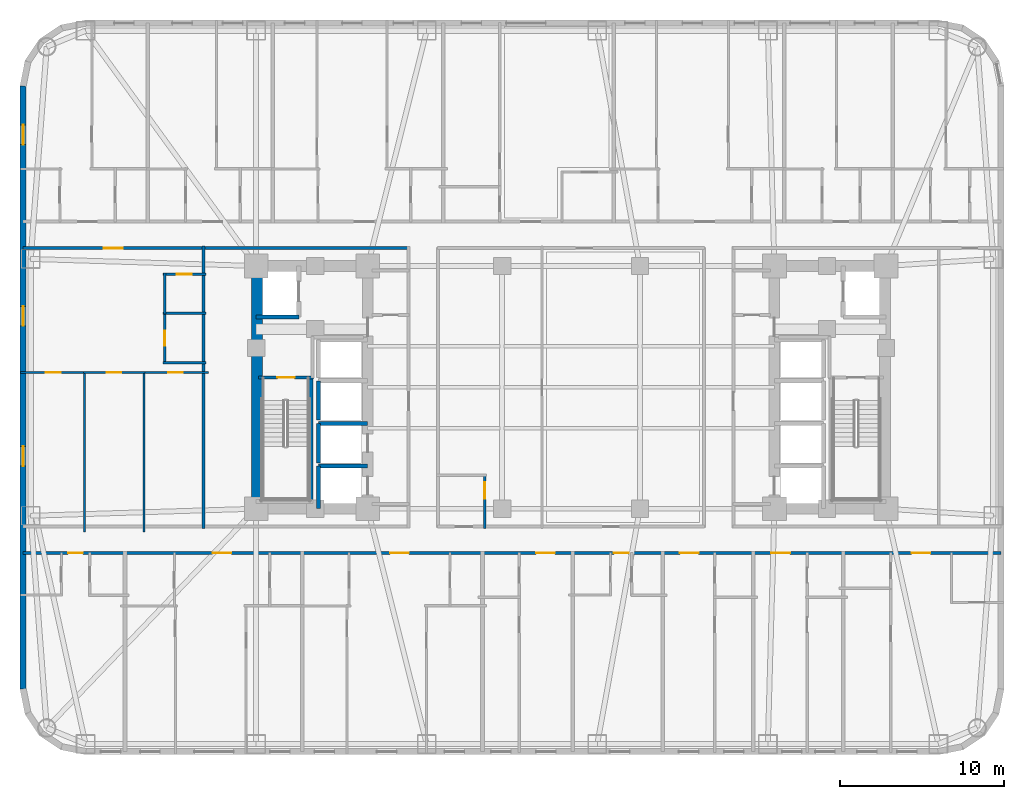
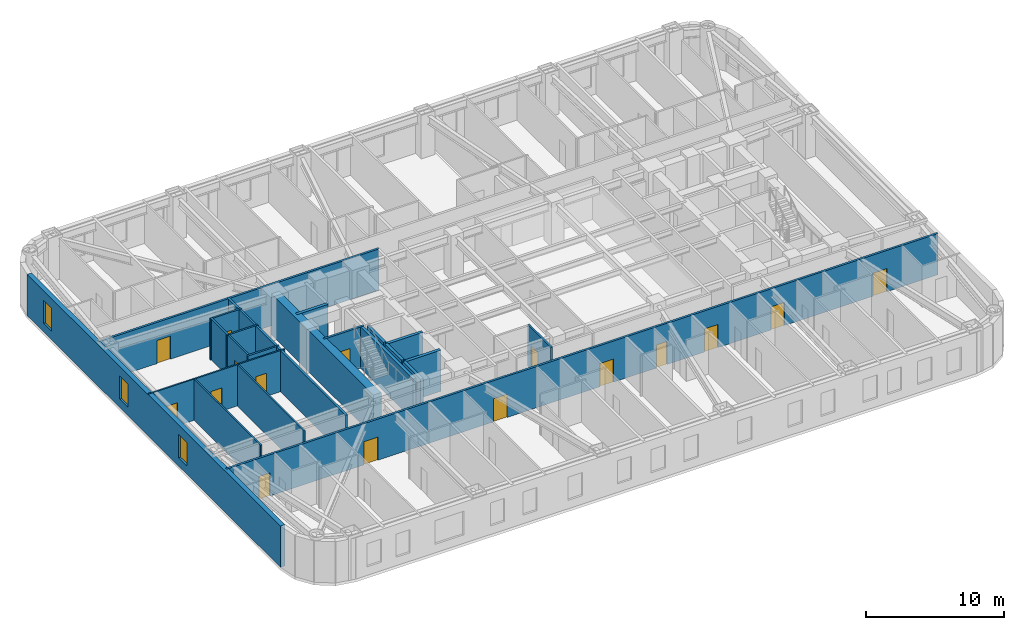
# One storey, part 4 of 12: 24 walls, 16 doors, 3 windows, 19 openings.
"""IFC4 building model written with IfcOpenShell, lengths in metres."""

from ifc_helpers import new_model, si_unit, direction, frame, frame_2d, origin, place, context, subcontext, project, spatial, rectangle, extrude, material, layer, layer_set, type_object, element, fill, save


model = new_model("IFC4")

# Units and contexts
model_context = context("Model", 3, precision=1e-05, world=origin(), true_north=direction((0.0, 1.0)))
body_context = subcontext(model_context, "Body", "Model", "MODEL_VIEW")
ifc_project = project(units=[si_unit("LENGTHUNIT", "METRE"), si_unit("AREAUNIT", "SQUARE_METRE"), si_unit("VOLUMEUNIT", "CUBIC_METRE"), si_unit("PLANEANGLEUNIT", "RADIAN"), si_unit("MASSUNIT", "GRAM", prefix="KILO")], contexts=[model_context])

# Site, building, storey
site_placement = place(None, origin())
site = spatial("IfcSite", under=ifc_project, at=site_placement, CompositionType="ELEMENT")
building_placement = place(site_placement, origin())
building = spatial("IfcBuilding", under=site, at=building_placement, Name="Voryun Gate Residences", CompositionType="ELEMENT")
storey_placement = place(building_placement, frame((0.0, 0.0, 41.60009765625)))
storey = spatial("IfcBuildingStorey", under=building, at=storey_placement, Name="L09", CompositionType="ELEMENT", Elevation=41.60009765625)

# Wall
ifc_material_1 = material(Name="Concrete C60/75", Category="concrete")
ifc_layer_1 = layer(ifc_material_1, 0.64990234375, Name="CW_CORE_650")
ifc_layer_set_1 = layer_set([ifc_layer_1], Name="Concrete C60/75")
wall_type_1 = type_object("IfcWallType", Name="CW_CORE_650", PredefinedType="SHEAR", material=ifc_layer_set_1)
wall_1_placement = place(storey_placement, frame((-19.14501953125, -7.39990234375, 0.0), z_axis=(0.0, 0.0, 1.0), x_axis=(0.0, 1.0, 0.0)))
element("IfcWall", 1, at=wall_1_placement, inside=storey, type_object=wall_type_1, Name="L09 Core shear wall CW-L09-WW", PredefinedType="SHEAR", context=body_context, shape_type="SweptSolid", body=[
    extrude(rectangle(XDim=14.7998046875, YDim=0.64990234375, at=frame_2d((7.39990234375, 0.0))), origin(), (0.0, 0.0, 1.0), 3.64990234375),
])

# Wall, opening, door
ifc_material_2 = material(Name="Gypsum acoustic fireboard")
ifc_layer_2 = layer(ifc_material_2, 0.179931640625, Name="W_CORR_RATED_180")
ifc_layer_set_2 = layer_set([ifc_layer_2], Name="Gypsum acoustic fireboard")
wall_type_2 = type_object("IfcWallType", Name="W_CORR_RATED_180", PredefinedType="PARTITIONING", material=ifc_layer_set_2)
wall_2_placement = place(storey_placement, frame((-19.06005859375, 0.60009765625, 0.0), z_axis=(0.0, 0.0, 1.0), x_axis=(1.0, 0.0, 0.0)))
wall_2 = element("IfcWall", 2, at=wall_2_placement, inside=storey, type_object=wall_type_2, Name="Partition wall WP-L09-STV-W", PredefinedType="PARTITIONING", context=body_context, shape_type="SweptSolid", body=[
    extrude(rectangle(XDim=3.360107421875, YDim=0.179931640625, at=frame_2d((1.68017578125, 0.0))), origin(), (0.0, 0.0, 1.0), 3.64990234375),
])
opening_1_placement = place(wall_2_placement, frame((1.155029296875, 0.0, 0.0)))
opening_1 = element("IfcOpeningElement", 3, at=opening_1_placement, cuts=wall_2, Name="Opening D-FD60-1", PredefinedType="OPENING", context=body_context, shape_type="SweptSolid", body=[
    extrude(rectangle(XDim=1.050048828125, YDim=2.050048828125, at=frame_2d((0.52490234375, 1.02490234375))), frame((0.0, 0.099853515625, 0.0), z_axis=(0.0, -1.0, 0.0), x_axis=(1.0, 0.0, 0.0)), (0.0, 0.0, 1.0), 0.199951171875),
])
ifc_material_3 = material(Name="Painted steel fire door", Category="steel")
door_type_1 = type_object("IfcDoorType", Name="DR_FD60_STAIR_1050", OperationType="NOTDEFINED", PredefinedType="DOOR", material=ifc_material_3)
door_1_placement = place(opening_1_placement, origin())
door_1 = element("IfcDoor", 4, at=door_1_placement, inside=storey, type_object=door_type_1, Name="Door DR-L09-ST-W", OperationType="SINGLE_SWING_LEFT", OverallHeight=2.050048828125, OverallWidth=1.050048828125, PredefinedType="DOOR", context=body_context, shape_type="SweptSolid", body=[
    extrude(rectangle(XDim=1.050048828125, YDim=2.050048828125, at=frame_2d((0.52490234375, 1.02490234375))), frame((0.0, 0.02490234375, 0.0), z_axis=(0.0, -1.0, 0.0), x_axis=(1.0, 0.0, 0.0)), (0.0, 0.0, 1.0), 0.050048828125),
])
fill(opening_1, door_1)

wall_3_placement = place(storey_placement, frame((-33.409912109375, 8.489990234375, 0.0), z_axis=(0.0, 0.0, 1.0), x_axis=(1.0, 0.0, 0.0)))
wall_3 = element("IfcWall", 5, at=wall_3_placement, inside=storey, type_object=wall_type_2, Name="Partition wall WP-L09-CWING-WN", PredefinedType="PARTITIONING", context=body_context, shape_type="SweptSolid", body=[
    extrude(rectangle(XDim=23.530029296875, YDim=0.179931640625, at=frame_2d((11.76513671875, 0.0))), origin(), (0.0, 0.0, 1.0), 3.64990234375),
])
opening_2_placement = place(wall_3_placement, frame((4.91455078125, 0.0, 0.0)))
opening_2 = element("IfcOpeningElement", 6, at=opening_2_placement, cuts=wall_3, Name="Opening D-UNIT-1", PredefinedType="OPENING", context=body_context, shape_type="SweptSolid", body=[
    extrude(rectangle(XDim=1.14990234375, YDim=2.050048828125, at=frame_2d((0.574951171875, 1.02490234375))), frame((0.0, 0.099853515625, 0.0), z_axis=(0.0, -1.0, 0.0), x_axis=(1.0, 0.0, 0.0)), (0.0, 0.0, 1.0), 0.199951171875),
])
ifc_material_4 = material(Name="Armoured timber-clad fire door", Category="wood")
door_type_2 = type_object("IfcDoorType", Name="DR_UNIT_ENTRY_1150", OperationType="NOTDEFINED", PredefinedType="DOOR", material=ifc_material_4)
door_2_placement = place(opening_2_placement, origin())
door_2 = element("IfcDoor", 7, at=door_2_placement, inside=storey, type_object=door_type_2, Name="Door DR-L09-WE1N", OperationType="SINGLE_SWING_LEFT", OverallHeight=2.050048828125, OverallWidth=1.14990234375, PredefinedType="DOOR", context=body_context, shape_type="SweptSolid", body=[
    extrude(rectangle(XDim=1.14990234375, YDim=2.050048828125, at=frame_2d((0.574951171875, 1.02490234375))), frame((0.0, 0.02490234375, 0.0), z_axis=(0.0, -1.0, 0.0), x_axis=(1.0, 0.0, 0.0)), (0.0, 0.0, 1.0), 0.050048828125),
])
fill(opening_2, door_2)

# Wall, openings, doors
wall_4_placement = place(storey_placement, frame((-33.409912109375, -10.10009765625, 0.0), z_axis=(0.0, 0.0, 1.0), x_axis=(1.0, 0.0, 0.0)))
wall_4 = element("IfcWall", 8, at=wall_4_placement, inside=storey, type_object=wall_type_2, Name="Partition wall WP-L09-SCORR", PredefinedType="PARTITIONING", context=body_context, shape_type="SweptSolid", body=[
    extrude(rectangle(XDim=59.619873046875, YDim=0.179931640625, at=frame_2d((29.81005859375, 0.0))), origin(), (0.0, 0.0, 1.0), 3.64990234375),
])
opening_3_placement = place(wall_4_placement, frame((2.74560546875, 0.0, 0.0)))
opening_3 = element("IfcOpeningElement", 9, at=opening_3_placement, cuts=wall_4, Name="Opening D-INT-2", PredefinedType="OPENING", context=body_context, shape_type="SweptSolid", body=[
    extrude(rectangle(XDim=0.89990234375, YDim=2.050048828125, at=frame_2d((0.449951171875, 1.02490234375))), frame((0.0, 0.099853515625, 0.0), z_axis=(0.0, -1.0, 0.0), x_axis=(1.0, 0.0, 0.0)), (0.0, 0.0, 1.0), 0.199951171875),
])
opening_4_placement = place(wall_4_placement, frame((11.5517578125, 0.0, 0.0)))
opening_4 = element("IfcOpeningElement", 10, at=opening_4_placement, cuts=wall_4, Name="Opening D-UNIT-1", PredefinedType="OPENING", context=body_context, shape_type="SweptSolid", body=[
    extrude(rectangle(XDim=1.14990234375, YDim=2.050048828125, at=frame_2d((0.574951171875, 1.02490234375))), frame((0.0, 0.099853515625, 0.0), z_axis=(0.0, -1.0, 0.0), x_axis=(1.0, 0.0, 0.0)), (0.0, 0.0, 1.0), 0.199951171875),
])
opening_5_placement = place(wall_4_placement, frame((22.378662109375, 0.0, 0.0)))
opening_5 = element("IfcOpeningElement", 11, at=opening_5_placement, cuts=wall_4, Name="Opening D-UNIT-1", PredefinedType="OPENING", context=body_context, shape_type="SweptSolid", body=[
    extrude(rectangle(XDim=1.14990234375, YDim=2.050048828125, at=frame_2d((0.574951171875, 1.02490234375))), frame((0.0, 0.099853515625, 0.0), z_axis=(0.0, -1.0, 0.0), x_axis=(1.0, 0.0, 0.0)), (0.0, 0.0, 1.0), 0.199951171875),
])
opening_6_placement = place(wall_4_placement, frame((31.280029296875, 0.0, 0.0)))
opening_6 = element("IfcOpeningElement", 12, at=opening_6_placement, cuts=wall_4, Name="Opening D-UNIT-1", PredefinedType="OPENING", context=body_context, shape_type="SweptSolid", body=[
    extrude(rectangle(XDim=1.14990234375, YDim=2.050048828125, at=frame_2d((0.574951171875, 1.02490234375))), frame((0.0, 0.099853515625, 0.0), z_axis=(0.0, -1.0, 0.0), x_axis=(1.0, 0.0, 0.0)), (0.0, 0.0, 1.0), 0.199951171875),
])
opening_7_placement = place(wall_4_placement, frame((36.01953125, 0.0, 0.0)))
opening_7 = element("IfcOpeningElement", 13, at=opening_7_placement, cuts=wall_4, Name="Opening D-INT-2", PredefinedType="OPENING", context=body_context, shape_type="SweptSolid", body=[
    extrude(rectangle(XDim=0.89990234375, YDim=2.050048828125, at=frame_2d((0.449951171875, 1.02490234375))), frame((0.0, 0.099853515625, 0.0), z_axis=(0.0, -1.0, 0.0), x_axis=(1.0, 0.0, 0.0)), (0.0, 0.0, 1.0), 0.199951171875),
])
opening_8_placement = place(wall_4_placement, frame((40.044189453125, 0.0, 0.0)))
opening_8 = element("IfcOpeningElement", 14, at=opening_8_placement, cuts=wall_4, Name="Opening D-UNIT-1", PredefinedType="OPENING", context=body_context, shape_type="SweptSolid", body=[
    extrude(rectangle(XDim=1.14990234375, YDim=2.050048828125, at=frame_2d((0.574951171875, 1.02490234375))), frame((0.0, 0.099853515625, 0.0), z_axis=(0.0, -1.0, 0.0), x_axis=(1.0, 0.0, 0.0)), (0.0, 0.0, 1.0), 0.199951171875),
])
opening_9_placement = place(wall_4_placement, frame((45.612548828125, 0.0, 0.0)))
opening_9 = element("IfcOpeningElement", 15, at=opening_9_placement, cuts=wall_4, Name="Opening D-UNIT-1", PredefinedType="OPENING", context=body_context, shape_type="SweptSolid", body=[
    extrude(rectangle(XDim=1.14990234375, YDim=2.050048828125, at=frame_2d((0.574951171875, 1.02490234375))), frame((0.0, 0.099853515625, 0.0), z_axis=(0.0, -1.0, 0.0), x_axis=(1.0, 0.0, 0.0)), (0.0, 0.0, 1.0), 0.199951171875),
])
opening_10_placement = place(wall_4_placement, frame((54.174072265625, 0.0, 0.0)))
opening_10 = element("IfcOpeningElement", 16, at=opening_10_placement, cuts=wall_4, Name="Opening D-UNIT-1", PredefinedType="OPENING", context=body_context, shape_type="SweptSolid", body=[
    extrude(rectangle(XDim=1.14990234375, YDim=2.050048828125, at=frame_2d((0.574951171875, 1.02490234375))), frame((0.0, 0.099853515625, 0.0), z_axis=(0.0, -1.0, 0.0), x_axis=(1.0, 0.0, 0.0)), (0.0, 0.0, 1.0), 0.199951171875),
])
ifc_material_5 = material(Name="Architectural oak veneer")
door_type_3 = type_object("IfcDoorType", Name="DR_INT_BATH_900", OperationType="NOTDEFINED", PredefinedType="DOOR", material=ifc_material_5)
door_3_placement = place(opening_3_placement, origin())
door_3 = element("IfcDoor", 17, at=door_3_placement, inside=storey, type_object=door_type_3, Name="Door DR-L09-SENT-1", OperationType="SINGLE_SWING_RIGHT", OverallHeight=2.050048828125, OverallWidth=0.89990234375, PredefinedType="DOOR", context=body_context, shape_type="SweptSolid", body=[
    extrude(rectangle(XDim=0.89990234375, YDim=2.050048828125, at=frame_2d((0.449951171875, 1.02490234375))), frame((0.0, 0.02490234375, 0.0), z_axis=(0.0, -1.0, 0.0), x_axis=(1.0, 0.0, 0.0)), (0.0, 0.0, 1.0), 0.050048828125),
])
fill(opening_3, door_3)
door_4_placement = place(opening_7_placement, origin())
door_4 = element("IfcDoor", 18, at=door_4_placement, inside=storey, type_object=door_type_3, Name="Door DR-L09-SENT-5", OperationType="SINGLE_SWING_RIGHT", OverallHeight=2.050048828125, OverallWidth=0.89990234375, PredefinedType="DOOR", context=body_context, shape_type="SweptSolid", body=[
    extrude(rectangle(XDim=0.89990234375, YDim=2.050048828125, at=frame_2d((0.449951171875, 1.02490234375))), frame((0.0, 0.02490234375, 0.0), z_axis=(0.0, -1.0, 0.0), x_axis=(1.0, 0.0, 0.0)), (0.0, 0.0, 1.0), 0.050048828125),
])
fill(opening_7, door_4)
door_5_placement = place(opening_4_placement, origin())
door_5 = element("IfcDoor", 19, at=door_5_placement, inside=storey, type_object=door_type_2, Name="Door DR-L09-SENT-2", OperationType="SINGLE_SWING_LEFT", OverallHeight=2.050048828125, OverallWidth=1.14990234375, PredefinedType="DOOR", context=body_context, shape_type="SweptSolid", body=[
    extrude(rectangle(XDim=1.14990234375, YDim=2.050048828125, at=frame_2d((0.574951171875, 1.02490234375))), frame((0.0, 0.02490234375, 0.0), z_axis=(0.0, -1.0, 0.0), x_axis=(1.0, 0.0, 0.0)), (0.0, 0.0, 1.0), 0.050048828125),
])
fill(opening_4, door_5)
door_6_placement = place(opening_5_placement, origin())
door_6 = element("IfcDoor", 20, at=door_6_placement, inside=storey, type_object=door_type_2, Name="Door DR-L09-SENT-3", OperationType="SINGLE_SWING_RIGHT", OverallHeight=2.050048828125, OverallWidth=1.14990234375, PredefinedType="DOOR", context=body_context, shape_type="SweptSolid", body=[
    extrude(rectangle(XDim=1.14990234375, YDim=2.050048828125, at=frame_2d((0.574951171875, 1.02490234375))), frame((0.0, 0.02490234375, 0.0), z_axis=(0.0, -1.0, 0.0), x_axis=(1.0, 0.0, 0.0)), (0.0, 0.0, 1.0), 0.050048828125),
])
fill(opening_5, door_6)
door_7_placement = place(opening_6_placement, origin())
door_7 = element("IfcDoor", 21, at=door_7_placement, inside=storey, type_object=door_type_2, Name="Door DR-L09-SENT-4", OperationType="SINGLE_SWING_LEFT", OverallHeight=2.050048828125, OverallWidth=1.14990234375, PredefinedType="DOOR", context=body_context, shape_type="SweptSolid", body=[
    extrude(rectangle(XDim=1.14990234375, YDim=2.050048828125, at=frame_2d((0.574951171875, 1.02490234375))), frame((0.0, 0.02490234375, 0.0), z_axis=(0.0, -1.0, 0.0), x_axis=(1.0, 0.0, 0.0)), (0.0, 0.0, 1.0), 0.050048828125),
])
fill(opening_6, door_7)
door_8_placement = place(opening_8_placement, origin())
door_8 = element("IfcDoor", 22, at=door_8_placement, inside=storey, type_object=door_type_2, Name="Door DR-L09-SENT-6", OperationType="SINGLE_SWING_LEFT", OverallHeight=2.050048828125, OverallWidth=1.14990234375, PredefinedType="DOOR", context=body_context, shape_type="SweptSolid", body=[
    extrude(rectangle(XDim=1.14990234375, YDim=2.050048828125, at=frame_2d((0.574951171875, 1.02490234375))), frame((0.0, 0.02490234375, 0.0), z_axis=(0.0, -1.0, 0.0), x_axis=(1.0, 0.0, 0.0)), (0.0, 0.0, 1.0), 0.050048828125),
])
fill(opening_8, door_8)
door_9_placement = place(opening_9_placement, origin())
door_9 = element("IfcDoor", 23, at=door_9_placement, inside=storey, type_object=door_type_2, Name="Door DR-L09-SENT-7", OperationType="SINGLE_SWING_RIGHT", OverallHeight=2.050048828125, OverallWidth=1.14990234375, PredefinedType="DOOR", context=body_context, shape_type="SweptSolid", body=[
    extrude(rectangle(XDim=1.14990234375, YDim=2.050048828125, at=frame_2d((0.574951171875, 1.02490234375))), frame((0.0, 0.02490234375, 0.0), z_axis=(0.0, -1.0, 0.0), x_axis=(1.0, 0.0, 0.0)), (0.0, 0.0, 1.0), 0.050048828125),
])
fill(opening_9, door_9)
door_10_placement = place(opening_10_placement, origin())
door_10 = element("IfcDoor", 24, at=door_10_placement, inside=storey, type_object=door_type_2, Name="Door DR-L09-SENT-8", OperationType="SINGLE_SWING_LEFT", OverallHeight=2.050048828125, OverallWidth=1.14990234375, PredefinedType="DOOR", context=body_context, shape_type="SweptSolid", body=[
    extrude(rectangle(XDim=1.14990234375, YDim=2.050048828125, at=frame_2d((0.574951171875, 1.02490234375))), frame((0.0, 0.02490234375, 0.0), z_axis=(0.0, -1.0, 0.0), x_axis=(1.0, 0.0, 0.0)), (0.0, 0.0, 1.0), 0.050048828125),
])
fill(opening_10, door_10)

# Wall
wall_5_placement = place(storey_placement, frame((-22.419921875, -8.610107421875, 0.0), z_axis=(0.0, 0.0, 1.0), x_axis=(0.0, 1.0, 0.0)))
element("IfcWall", 25, at=wall_5_placement, inside=storey, type_object=wall_type_2, Name="Partition wall WP-L09-WCOR", PredefinedType="PARTITIONING", context=body_context, shape_type="SweptSolid", body=[
    extrude(rectangle(XDim=17.22021484375, YDim=0.179931640625, at=frame_2d((8.610107421875, 0.0))), origin(), (0.0, 0.0, 1.0), 3.64990234375),
])

# Wall, openings, windows
ifc_material_6 = material(Name="Granite masonry", Category="masonry")
ifc_layer_3 = layer(ifc_material_6, 0.3798828125, Name="W_EXT_GRANITE_380")
ifc_layer_set_3 = layer_set([ifc_layer_3], Name="Granite masonry")
wall_type_3 = type_object("IfcWallType", Name="W_EXT_GRANITE_380", PredefinedType="ELEMENTEDWALL", material=ifc_layer_set_3)
wall_6_placement = place(storey_placement, frame((-33.409912109375, -18.38134765625, 0.0), z_axis=(0.0, 0.0, 1.0), x_axis=(0.0, 1.0, 0.0)))
wall_6 = element("IfcWall", 26, at=wall_6_placement, inside=storey, type_object=wall_type_3, Name="Exterior wall WEXT-L09-06", PredefinedType="ELEMENTEDWALL", context=body_context, shape_type="SweptSolid", body=[
    extrude(rectangle(XDim=36.7626953125, YDim=0.3798828125, at=frame_2d((18.38134765625, 0.0))), origin(), (0.0, 0.0, 1.0), 3.64990234375),
])
opening_11_placement = place(wall_6_placement, frame((33.18701171875, 0.0, 0.75)))
opening_11 = element("IfcOpeningElement", 27, at=opening_11_placement, cuts=wall_6, Name="Opening WN6", PredefinedType="OPENING", context=body_context, shape_type="SweptSolid", body=[
    extrude(rectangle(XDim=1.199951171875, YDim=2.050048828125, at=frame_2d((0.60009765625, 1.02490234375))), frame((0.0, 0.199951171875, 0.0), z_axis=(0.0, -1.0, 0.0), x_axis=(1.0, 0.0, 0.0)), (0.0, 0.0, 1.0), 0.39990234375),
])
opening_12_placement = place(wall_6_placement, frame((22.126220703125, 0.0, 0.75)))
opening_12 = element("IfcOpeningElement", 28, at=opening_12_placement, cuts=wall_6, Name="Opening WN6", PredefinedType="OPENING", context=body_context, shape_type="SweptSolid", body=[
    extrude(rectangle(XDim=1.199951171875, YDim=2.050048828125, at=frame_2d((0.60009765625, 1.02490234375))), frame((0.0, 0.199951171875, 0.0), z_axis=(0.0, -1.0, 0.0), x_axis=(1.0, 0.0, 0.0)), (0.0, 0.0, 1.0), 0.39990234375),
])
opening_13_placement = place(wall_6_placement, frame((13.576416015625, 0.0, 0.75)))
opening_13 = element("IfcOpeningElement", 29, at=opening_13_placement, cuts=wall_6, Name="Opening WN6", PredefinedType="OPENING", context=body_context, shape_type="SweptSolid", body=[
    extrude(rectangle(XDim=1.199951171875, YDim=2.050048828125, at=frame_2d((0.60009765625, 1.02490234375))), frame((0.0, 0.199951171875, 0.0), z_axis=(0.0, -1.0, 0.0), x_axis=(1.0, 0.0, 0.0)), (0.0, 0.0, 1.0), 0.39990234375),
])
ifc_material_7 = material(Name="Laminated low-E glass", Category="glass")
window_type = type_object("IfcWindowType", Name="WN_POD_SLOT_1200", PartitioningType="SINGLE_PANEL", PredefinedType="WINDOW", material=ifc_material_7)
window_1_placement = place(opening_11_placement, origin())
window_1 = element("IfcWindow", 30, at=window_1_placement, inside=storey, type_object=window_type, Name="Window WN-L09-DWFIX-01", OverallHeight=2.050048828125, OverallWidth=1.199951171875, PartitioningType="SINGLE_PANEL", PredefinedType="WINDOW", context=body_context, shape_type="SweptSolid", body=[
    extrude(rectangle(XDim=1.199951171875, YDim=2.050048828125, at=frame_2d((0.60009765625, 1.02490234375))), frame((0.0, 0.030029296875, 0.0), z_axis=(0.0, -1.0, 0.0), x_axis=(1.0, 0.0, 0.0)), (0.0, 0.0, 1.0), 0.06005859375),
])
fill(opening_11, window_1)
window_2_placement = place(opening_12_placement, origin())
window_2 = element("IfcWindow", 31, at=window_2_placement, inside=storey, type_object=window_type, Name="Window WN-L09-DWFIX-30", OverallHeight=2.050048828125, OverallWidth=1.199951171875, PartitioningType="SINGLE_PANEL", PredefinedType="WINDOW", context=body_context, shape_type="SweptSolid", body=[
    extrude(rectangle(XDim=1.199951171875, YDim=2.050048828125, at=frame_2d((0.60009765625, 1.02490234375))), frame((0.0, 0.030029296875, 0.0), z_axis=(0.0, -1.0, 0.0), x_axis=(1.0, 0.0, 0.0)), (0.0, 0.0, 1.0), 0.06005859375),
])
fill(opening_12, window_2)
window_3_placement = place(opening_13_placement, origin())
window_3 = element("IfcWindow", 32, at=window_3_placement, inside=storey, type_object=window_type, Name="Window WN-L09-DWFIX-31", OverallHeight=2.050048828125, OverallWidth=1.199951171875, PartitioningType="SINGLE_PANEL", PredefinedType="WINDOW", context=body_context, shape_type="SweptSolid", body=[
    extrude(rectangle(XDim=1.199951171875, YDim=2.050048828125, at=frame_2d((0.60009765625, 1.02490234375))), frame((0.0, 0.030029296875, 0.0), z_axis=(0.0, -1.0, 0.0), x_axis=(1.0, 0.0, 0.0)), (0.0, 0.0, 1.0), 0.06005859375),
])
fill(opening_13, window_3)

# Walls
ifc_material_8 = material(Name="Concrete C50/60", Category="concrete")
ifc_layer_4 = layer(ifc_material_8, 0.25, Name="W_SHAFT_RC250")
ifc_layer_set_4 = layer_set([ifc_layer_4], Name="Concrete C50/60")
wall_type_4 = type_object("IfcWallType", Name="W_SHAFT_RC250", PredefinedType="SOLIDWALL", material=ifc_layer_set_4)
wall_7_placement = place(storey_placement, frame((-15.860107421875, -7.0849609375, 0.0), z_axis=(0.0, 0.0, 1.0), x_axis=(0.0, 1.0, 0.0)))
element("IfcWall", 33, at=wall_7_placement, inside=storey, type_object=wall_type_4, Name="L09 Stair shaft structural wall W-STR", PredefinedType="SOLIDWALL", context=body_context, shape_type="SweptSolid", body=[
    extrude(rectangle(XDim=7.68505859375, YDim=0.25, at=frame_2d((3.842529296875, 0.0))), origin(), (0.0, 0.0, 1.0), 3.64990234375),
])
wall_8_placement = place(storey_placement, frame((-19.199951171875, 4.300048828125, 0.0), z_axis=(0.0, 0.0, 1.0), x_axis=(1.0, 0.0, 0.0)))
element("IfcWall", 34, at=wall_8_placement, inside=storey, type_object=wall_type_4, Name="Lift shaft wall WSH-L09-EL-FF-W1-S", PredefinedType="SOLIDWALL", context=body_context, shape_type="SweptSolid", body=[
    extrude(rectangle(XDim=2.599853515625, YDim=0.25, at=frame_2d((1.2998046875, 0.0))), origin(), (0.0, 0.0, 1.0), 3.64990234375),
])
wall_9_placement = place(storey_placement, frame((-12.39990234375, -4.800048828125, 0.0), z_axis=(0.0, 0.0, 1.0), x_axis=(-1.0, 0.0, 0.0)))
element("IfcWall", 35, at=wall_9_placement, inside=storey, type_object=wall_type_4, Name="Lift shaft wall WSH-L09-EL-P1-N", PredefinedType="SOLIDWALL", context=body_context, shape_type="SweptSolid", body=[
    extrude(rectangle(XDim=3.0, YDim=0.25, at=frame_2d((1.5, 0.0))), origin(), (0.0, 0.0, 1.0), 3.64990234375),
])
wall_10_placement = place(storey_placement, frame((-15.39990234375, -4.800048828125, 0.0), z_axis=(0.0, 0.0, 1.0), x_axis=(0.0, -1.0, 0.0)))
element("IfcWall", 36, at=wall_10_placement, inside=storey, type_object=wall_type_4, Name="Lift shaft wall WSH-L09-EL-P1-W", PredefinedType="SOLIDWALL", context=body_context, shape_type="SweptSolid", body=[
    extrude(rectangle(XDim=2.599853515625, YDim=0.25, at=frame_2d((1.2998046875, 0.0))), origin(), (0.0, 0.0, 1.0), 3.64990234375),
])
wall_11_placement = place(storey_placement, frame((-12.39990234375, -2.199951171875, 0.0), z_axis=(0.0, 0.0, 1.0), x_axis=(-1.0, 0.0, 0.0)))
element("IfcWall", 37, at=wall_11_placement, inside=storey, type_object=wall_type_4, Name="Lift shaft wall WSH-L09-EL-P2-N", PredefinedType="SOLIDWALL", context=body_context, shape_type="SweptSolid", body=[
    extrude(rectangle(XDim=3.0, YDim=0.25, at=frame_2d((1.5, 0.0))), origin(), (0.0, 0.0, 1.0), 3.64990234375),
])
wall_12_placement = place(storey_placement, frame((-15.39990234375, -2.199951171875, 0.0), z_axis=(0.0, 0.0, 1.0), x_axis=(0.0, -1.0, 0.0)))
element("IfcWall", 38, at=wall_12_placement, inside=storey, type_object=wall_type_4, Name="Lift shaft wall WSH-L09-EL-P2-W", PredefinedType="SOLIDWALL", context=body_context, shape_type="SweptSolid", body=[
    extrude(rectangle(XDim=2.400146484375, YDim=0.25, at=frame_2d((1.2001953125, 0.0))), origin(), (0.0, 0.0, 1.0), 3.64990234375),
])
wall_13_placement = place(storey_placement, frame((-15.39990234375, 0.39990234375, 0.0), z_axis=(0.0, 0.0, 1.0), x_axis=(0.0, -1.0, 0.0)))
element("IfcWall", 39, at=wall_13_placement, inside=storey, type_object=wall_type_4, Name="Lift shaft wall WSH-L09-EL-P4-W", PredefinedType="SOLIDWALL", context=body_context, shape_type="SweptSolid", body=[
    extrude(rectangle(XDim=2.39990234375, YDim=0.25, at=frame_2d((1.199951171875, 0.0))), origin(), (0.0, 0.0, 1.0), 3.64990234375),
])

# Wall, opening, door
ifc_material_9 = material(Name="Gypsum acoustic partition")
ifc_layer_5 = layer(ifc_material_9, 0.125, Name="W_UNIT_PART_125")
ifc_layer_set_5 = layer_set([ifc_layer_5], Name="Gypsum acoustic partition")
wall_type_5 = type_object("IfcWallType", Name="W_UNIT_PART_125", PredefinedType="PARTITIONING", material=ifc_layer_set_5)
wall_14_placement = place(storey_placement, frame((-33.56005859375, 0.909912109375, 0.0), z_axis=(0.0, 0.0, 1.0), x_axis=(1.0, 0.0, 0.0)))
wall_14 = element("IfcWall", 40, at=wall_14_placement, inside=storey, type_object=wall_type_5, Name="Partition wall WP-L09-W1-HZMB1", PredefinedType="PARTITIONING", context=body_context, shape_type="SweptSolid", body=[
    extrude(rectangle(XDim=3.944580078125, YDim=0.125, at=frame_2d((1.97216796875, 0.0))), origin(), (0.0, 0.0, 1.0), 3.64990234375),
])
opening_14_placement = place(wall_14_placement, frame((1.531005859375, 0.0, 0.0)))
opening_14 = element("IfcOpeningElement", 41, at=opening_14_placement, cuts=wall_14, Name="Opening D-INT-2", PredefinedType="OPENING", context=body_context, shape_type="SweptSolid", body=[
    extrude(rectangle(XDim=0.89990234375, YDim=2.050048828125, at=frame_2d((0.449951171875, 1.02490234375))), frame((0.0, 0.072509765625, 0.0), z_axis=(0.0, -1.0, 0.0), x_axis=(1.0, 0.0, 0.0)), (0.0, 0.0, 1.0), 0.14501953125),
])
door_11_placement = place(opening_14_placement, origin())
door_11 = element("IfcDoor", 42, at=door_11_placement, inside=storey, type_object=door_type_3, Name="Door DR-L09-W1-DMB", OperationType="SINGLE_SWING_LEFT", OverallHeight=2.050048828125, OverallWidth=0.89990234375, PredefinedType="DOOR", context=body_context, shape_type="SweptSolid", body=[
    extrude(rectangle(XDim=0.89990234375, YDim=2.050048828125, at=frame_2d((0.449951171875, 1.02490234375))), frame((0.0, 0.02490234375, 0.0), z_axis=(0.0, -1.0, 0.0), x_axis=(1.0, 0.0, 0.0)), (0.0, 0.0, 1.0), 0.050048828125),
])
fill(opening_14, door_11)

wall_15_placement = place(storey_placement, frame((-29.740478515625, 0.909912109375, 0.0), z_axis=(0.0, 0.0, 1.0), x_axis=(1.0, 0.0, 0.0)))
wall_15 = element("IfcWall", 43, at=wall_15_placement, inside=storey, type_object=wall_type_5, Name="Partition wall WP-L09-W1-HZMB2", PredefinedType="PARTITIONING", context=body_context, shape_type="SweptSolid", body=[
    extrude(rectangle(XDim=3.75390625, YDim=0.125, at=frame_2d((1.876953125, 0.0))), origin(), (0.0, 0.0, 1.0), 3.64990234375),
])
opening_15_placement = place(wall_15_placement, frame((1.427001953125, 0.0, 0.0)))
opening_15 = element("IfcOpeningElement", 44, at=opening_15_placement, cuts=wall_15, Name="Opening D-INT-2", PredefinedType="OPENING", context=body_context, shape_type="SweptSolid", body=[
    extrude(rectangle(XDim=0.89990234375, YDim=2.050048828125, at=frame_2d((0.449951171875, 1.02490234375))), frame((0.0, 0.072509765625, 0.0), z_axis=(0.0, -1.0, 0.0), x_axis=(1.0, 0.0, 0.0)), (0.0, 0.0, 1.0), 0.14501953125),
])
door_12_placement = place(opening_15_placement, origin())
door_12 = element("IfcDoor", 45, at=door_12_placement, inside=storey, type_object=door_type_3, Name="Door DR-L09-W1-DBD2", OperationType="SINGLE_SWING_RIGHT", OverallHeight=2.050048828125, OverallWidth=0.89990234375, PredefinedType="DOOR", context=body_context, shape_type="SweptSolid", body=[
    extrude(rectangle(XDim=0.89990234375, YDim=2.050048828125, at=frame_2d((0.449951171875, 1.02490234375))), frame((0.0, 0.02490234375, 0.0), z_axis=(0.0, -1.0, 0.0), x_axis=(1.0, 0.0, 0.0)), (0.0, 0.0, 1.0), 0.050048828125),
])
fill(opening_15, door_12)

wall_16_placement = place(storey_placement, frame((-26.111572265625, 0.909912109375, 0.0), z_axis=(0.0, 0.0, 1.0), x_axis=(1.0, 0.0, 0.0)))
wall_16 = element("IfcWall", 46, at=wall_16_placement, inside=storey, type_object=wall_type_5, Name="Partition wall WP-L09-W1-HZMB3", PredefinedType="PARTITIONING", context=body_context, shape_type="SweptSolid", body=[
    extrude(rectangle(XDim=4.011474609375, YDim=0.125, at=frame_2d((2.005859375, 0.0))), origin(), (0.0, 0.0, 1.0), 3.64990234375),
])
opening_16_placement = place(wall_16_placement, frame((1.547119140625, 0.0, 0.0)))
opening_16 = element("IfcOpeningElement", 47, at=opening_16_placement, cuts=wall_16, Name="Opening D-INT-2", PredefinedType="OPENING", context=body_context, shape_type="SweptSolid", body=[
    extrude(rectangle(XDim=0.89990234375, YDim=2.050048828125, at=frame_2d((0.449951171875, 1.02490234375))), frame((0.0, 0.072509765625, 0.0), z_axis=(0.0, -1.0, 0.0), x_axis=(1.0, 0.0, 0.0)), (0.0, 0.0, 1.0), 0.14501953125),
])
door_13_placement = place(opening_16_placement, origin())
door_13 = element("IfcDoor", 48, at=door_13_placement, inside=storey, type_object=door_type_3, Name="Door DR-L09-W1-DBD3", OperationType="SINGLE_SWING_LEFT", OverallHeight=2.050048828125, OverallWidth=0.89990234375, PredefinedType="DOOR", context=body_context, shape_type="SweptSolid", body=[
    extrude(rectangle(XDim=0.89990234375, YDim=2.050048828125, at=frame_2d((0.449951171875, 1.02490234375))), frame((0.0, 0.02490234375, 0.0), z_axis=(0.0, -1.0, 0.0), x_axis=(1.0, 0.0, 0.0)), (0.0, 0.0, 1.0), 0.050048828125),
])
fill(opening_16, door_13)

# Walls
for number, where, z_axis, x_axis, name in (
    (49, (-26.049072265625, -8.81005859375, 0.0), (0.0, 0.0, 1.0), (0.0, 1.0, 0.0), "Partition wall WP-L09-W1-VMB2"),
    (50, (-29.677978515625, -8.81005859375, 0.0), (0.0, 0.0, 1.0), (0.0, 1.0, 0.0), "Partition wall WP-L09-W1-VMB"),
):
    element("IfcWall", number, at=place(storey_placement, frame(where, z_axis=z_axis, x_axis=x_axis)), inside=storey, type_object=wall_type_5, Name=name, PredefinedType="PARTITIONING", context=body_context, shape_type="SweptSolid", body=[
        extrude(rectangle(XDim=9.780029296875, YDim=0.125, at=frame_2d((4.89013671875, 0.0))), origin(), (0.0, 0.0, 1.0), 3.64990234375),
    ])

# Wall, opening, door
ifc_material_10 = material(Name="Gypsum moisture-resistant partition")
ifc_layer_6 = layer(ifc_material_10, 0.14990234375, Name="W_WET_PLUMB_150")
ifc_layer_set_6 = layer_set([ifc_layer_6], Name="Gypsum moisture-resistant partition")
wall_type_6 = type_object("IfcWallType", Name="W_WET_PLUMB_150", PredefinedType="PLUMBINGWALL", material=ifc_layer_set_6)
wall_17_placement = place(storey_placement, frame((-5.260009765625, -8.6201171875, 0.0), z_axis=(0.0, 0.0, 1.0), x_axis=(0.0, 1.0, 0.0)))
wall_17 = element("IfcWall", 51, at=wall_17_placement, inside=storey, type_object=wall_type_6, Name="Partition wall WP-L09-CMWCX", PredefinedType="PLUMBINGWALL", context=body_context, shape_type="SweptSolid", body=[
    extrude(rectangle(XDim=3.35009765625, YDim=0.14990234375, at=frame_2d((1.675048828125, 0.0))), origin(), (0.0, 0.0, 1.0), 3.64990234375),
])
opening_17_placement = place(wall_17_placement, frame((1.8349609375, 0.0, 0.0)))
opening_17 = element("IfcOpeningElement", 52, at=opening_17_placement, cuts=wall_17, Name="Opening D-AWC-1", PredefinedType="OPENING", context=body_context, shape_type="SweptSolid", body=[
    extrude(rectangle(XDim=1.0, YDim=2.050048828125, at=frame_2d((0.5, 1.02490234375))), frame((0.0, 0.0849609375, 0.0), z_axis=(0.0, -1.0, 0.0), x_axis=(1.0, 0.0, 0.0)), (0.0, 0.0, 1.0), 0.169921875),
])
ifc_material_11 = material(Name="Architectural oak veneer")
door_type_4 = type_object("IfcDoorType", Name="DR_ACC_WC_1000", OperationType="NOTDEFINED", PredefinedType="DOOR", material=ifc_material_11)
door_14_placement = place(opening_17_placement, origin())
door_14 = element("IfcDoor", 53, at=door_14_placement, inside=storey, type_object=door_type_4, Name="Door DR-L09-CMWC", OperationType="SINGLE_SWING_LEFT", OverallHeight=2.050048828125, OverallWidth=1.0, PredefinedType="DOOR", context=body_context, shape_type="SweptSolid", body=[
    extrude(rectangle(XDim=1.0, YDim=2.050048828125, at=frame_2d((0.5, 1.02490234375))), frame((0.0, 0.02490234375, 0.0), z_axis=(0.0, -1.0, 0.0), x_axis=(1.0, 0.0, 0.0)), (0.0, 0.0, 1.0), 0.050048828125),
])
fill(opening_17, door_14)

wall_18_placement = place(storey_placement, frame((-24.889892578125, 6.89990234375, 0.0), z_axis=(0.0, 0.0, 1.0), x_axis=(1.0, 0.0, 0.0)))
wall_18 = element("IfcWall", 54, at=wall_18_placement, inside=storey, type_object=wall_type_6, Name="Partition wall WP-L09-W1-IBT", PredefinedType="PLUMBINGWALL", context=body_context, shape_type="SweptSolid", body=[
    extrude(rectangle(XDim=2.619873046875, YDim=0.14990234375, at=frame_2d((1.31005859375, 0.0))), origin(), (0.0, 0.0, 1.0), 3.64990234375),
])
opening_18_placement = place(wall_18_placement, frame((0.860107421875, 0.0, 0.0)))
opening_18 = element("IfcOpeningElement", 55, at=opening_18_placement, cuts=wall_18, Name="Opening D-INT-2", PredefinedType="OPENING", context=body_context, shape_type="SweptSolid", body=[
    extrude(rectangle(XDim=0.89990234375, YDim=2.050048828125, at=frame_2d((0.449951171875, 1.02490234375))), frame((0.0, 0.0849609375, 0.0), z_axis=(0.0, -1.0, 0.0), x_axis=(1.0, 0.0, 0.0)), (0.0, 0.0, 1.0), 0.169921875),
])
door_15_placement = place(opening_18_placement, origin())
door_15 = element("IfcDoor", 56, at=door_15_placement, inside=storey, type_object=door_type_3, Name="Door DR-L09-W1-DK", OperationType="SINGLE_SWING_LEFT", OverallHeight=2.050048828125, OverallWidth=0.89990234375, PredefinedType="DOOR", context=body_context, shape_type="SweptSolid", body=[
    extrude(rectangle(XDim=0.89990234375, YDim=2.050048828125, at=frame_2d((0.449951171875, 1.02490234375))), frame((0.0, 0.02490234375, 0.0), z_axis=(0.0, -1.0, 0.0), x_axis=(1.0, 0.0, 0.0)), (0.0, 0.0, 1.0), 0.050048828125),
])
fill(opening_18, door_15)

# Walls
for number, where, z_axis, x_axis, name in (
    (57, (-24.889892578125, 4.52001953125, 0.0), (0.0, 0.0, 1.0), (1.0, 0.0, 0.0), "Partition wall WP-L09-W1-IKB"),
    (58, (-24.889892578125, 1.5, 0.0), (0.0, 0.0, 1.0), (1.0, 0.0, 0.0), "Partition wall WP-L09-W1-IBB"),
):
    element("IfcWall", number, at=place(storey_placement, frame(where, z_axis=z_axis, x_axis=x_axis)), inside=storey, type_object=wall_type_6, Name=name, PredefinedType="PLUMBINGWALL", context=body_context, shape_type="SweptSolid", body=[
        extrude(rectangle(XDim=2.619873046875, YDim=0.14990234375, at=frame_2d((1.31005859375, 0.0))), origin(), (0.0, 0.0, 1.0), 3.64990234375),
    ])

# Wall, opening, door
wall_19_placement = place(storey_placement, frame((-24.77001953125, 1.43994140625, 0.0), z_axis=(0.0, 0.0, 1.0), x_axis=(0.0, 1.0, 0.0)))
wall_19 = element("IfcWall", 59, at=wall_19_placement, inside=storey, type_object=wall_type_6, Name="Partition wall WP-L09-W1-VTSK1", PredefinedType="PLUMBINGWALL", context=body_context, shape_type="SweptSolid", body=[
    extrude(rectangle(XDim=3.1201171875, YDim=0.14990234375, at=frame_2d((1.56005859375, 0.0))), origin(), (0.0, 0.0, 1.0), 3.64990234375),
])
opening_19_placement = place(wall_19_placement, frame((1.110107421875, 0.0, 0.0)))
opening_19 = element("IfcOpeningElement", 60, at=opening_19_placement, cuts=wall_19, Name="Opening D-INT-2", PredefinedType="OPENING", context=body_context, shape_type="SweptSolid", body=[
    extrude(rectangle(XDim=0.89990234375, YDim=2.050048828125, at=frame_2d((0.449951171875, 1.02490234375))), frame((0.0, 0.0849609375, 0.0), z_axis=(0.0, -1.0, 0.0), x_axis=(1.0, 0.0, 0.0)), (0.0, 0.0, 1.0), 0.169921875),
])
door_16_placement = place(opening_19_placement, origin())
door_16 = element("IfcDoor", 61, at=door_16_placement, inside=storey, type_object=door_type_3, Name="Door DR-L09-W1-DB", OperationType="SINGLE_SWING_RIGHT", OverallHeight=2.050048828125, OverallWidth=0.89990234375, PredefinedType="DOOR", context=body_context, shape_type="SweptSolid", body=[
    extrude(rectangle(XDim=0.89990234375, YDim=2.050048828125, at=frame_2d((0.449951171875, 1.02490234375))), frame((0.0, 0.02490234375, 0.0), z_axis=(0.0, -1.0, 0.0), x_axis=(1.0, 0.0, 0.0)), (0.0, 0.0, 1.0), 0.050048828125),
])
fill(opening_19, door_16)

# Wall
wall_20_placement = place(storey_placement, frame((-24.77001953125, 4.47998046875, 0.0), z_axis=(0.0, 0.0, 1.0), x_axis=(0.0, 1.0, 0.0)))
element("IfcWall", 62, at=wall_20_placement, inside=storey, type_object=wall_type_6, Name="Partition wall WP-L09-W1-VTSK2", PredefinedType="PLUMBINGWALL", context=body_context, shape_type="SweptSolid", body=[
    extrude(rectangle(XDim=2.47998046875, YDim=0.14990234375, at=frame_2d((1.239990234375, 0.0))), origin(), (0.0, 0.0, 1.0), 3.64990234375),
])

save(model, "model.ifc")
